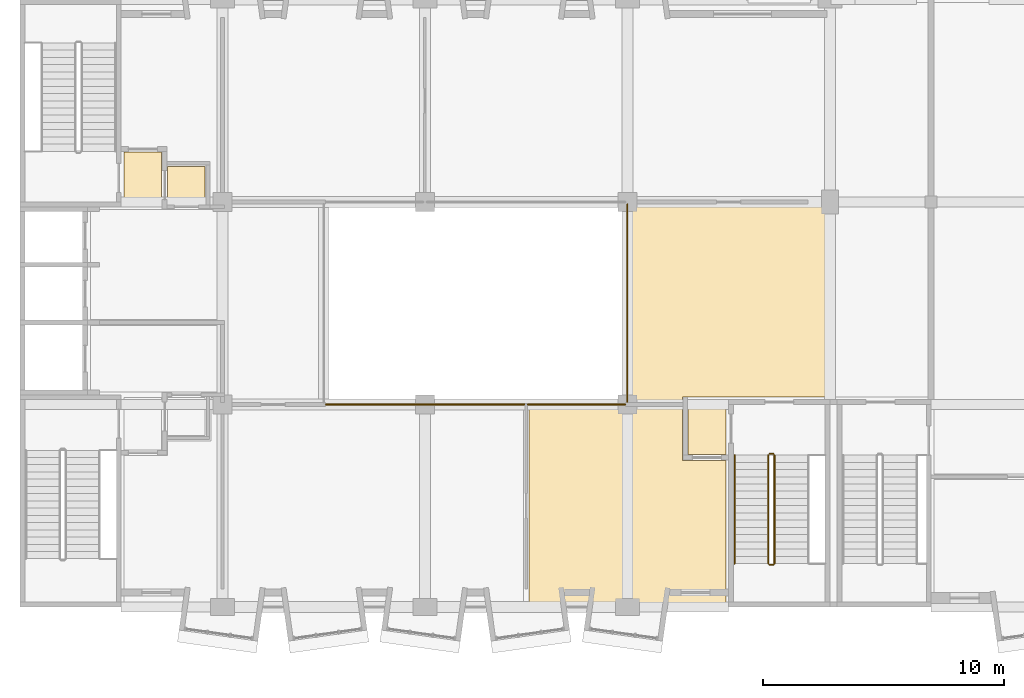
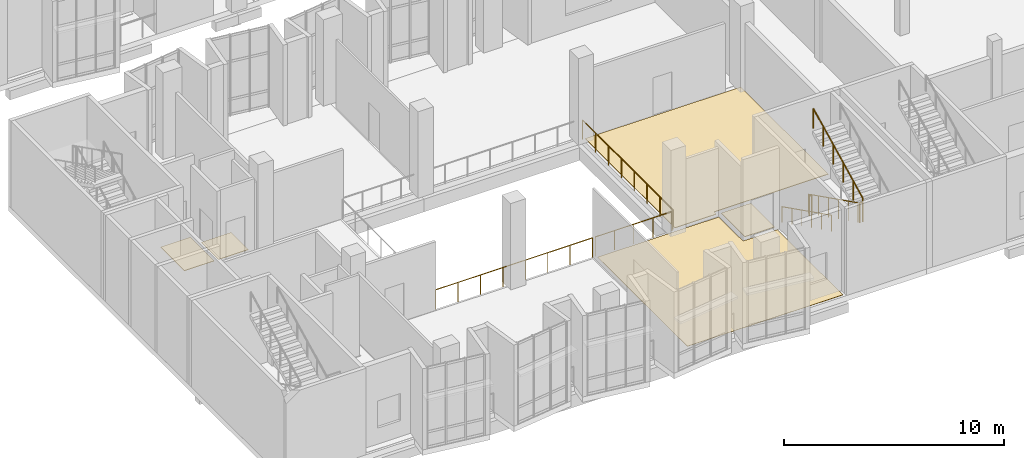
# One storey, part 67 of 86: 8 railings, 5 coverings.
"""IFC4 building model written with IfcOpenShell, lengths in metres."""

import ifcopenshell
import ifcopenshell.guid

model = None  # the IFC model being written
_history = None  # IfcOwnerHistory: only IFC2X3 demands one
_inside = {}  # id of a spatial element -> (the spatial element, [elements in it])
_under = {}  # id of a project, library or spatial element -> (it, [spatial elements below it])
_declared = {}  # id of a project -> (the project, [libraries it declares])
_typed = {}  # id of a type object -> (the type object, [elements of that type])
_made_of = {}  # id of a material, layer set ... -> (it, [elements and type objects made of it])


def new_model(schema):
    """Start an empty IFC model of exactly this schema.

    Asked for "IFC4X3", IfcOpenShell would pick the latest addendum, in which some entities
    have other attributes; the version numbers below select the first issue.
    IFC2X3 requires an IfcOwnerHistory on every rooted entity: one is made here for all.
    """
    global model, _history
    if schema == "IFC4X3":
        model = ifcopenshell.file(schema_version=(4, 3, 0, 0))
    else:
        model = ifcopenshell.file(schema=schema)
    _inside.clear()
    _under.clear()
    _declared.clear()
    _typed.clear()
    _made_of.clear()
    _history = None
    if model.schema == "IFC2X3":
        org = make("IfcOrganization", Name="unknown")
        user = make(
            "IfcPersonAndOrganization",
            ThePerson=make("IfcPerson", FamilyName="unknown"),
            TheOrganization=org,
        )
        app = make(
            "IfcApplication",
            ApplicationDeveloper=org,
            Version="unknown",
            ApplicationFullName="unknown",
            ApplicationIdentifier="unknown",
        )
        _history = make(
            "IfcOwnerHistory",
            OwningUser=user,
            OwningApplication=app,
            ChangeAction="ADDED",
            CreationDate=0,
        )
    return model


def make(cls, **values):
    """One entity of the class cls with the attributes given. An attribute that is None is left unset."""
    return model.create_entity(
        cls, **{name: value for name, value in values.items() if value is not None}
    )


def rooted(cls, **values):
    """An entity with a GlobalId (a new one), such as an element, a storey or a relation."""
    return make(cls, GlobalId=ifcopenshell.guid.new(), OwnerHistory=_history, **values)


def si_unit(unit_type, name, prefix=None):
    """IfcSIUnit, for example si_unit("LENGTHUNIT", "METRE", prefix="MILLI")."""
    return make("IfcSIUnit", UnitType=unit_type, Prefix=prefix, Name=name)


def assignment(units):
    """IfcUnitAssignment: the units of a project."""
    return None if units is None else make("IfcUnitAssignment", Units=units)


def point(xyz):
    """IfcCartesianPoint."""
    return None if xyz is None else make("IfcCartesianPoint", Coordinates=xyz)


def direction(xyz):
    """IfcDirection."""
    return None if xyz is None else make("IfcDirection", DirectionRatios=xyz)


def frame(location, z_axis=None, x_axis=None):
    """IfcAxis2Placement3D, a coordinate frame: its origin and axes. An axis left out is left unset."""
    return make(
        "IfcAxis2Placement3D",
        Location=point(location),
        Axis=direction(z_axis),
        RefDirection=direction(x_axis),
    )


def frame_2d(location, x_axis=None):
    """IfcAxis2Placement2D, a coordinate frame in the plane: its origin and x axis."""
    return make(
        "IfcAxis2Placement2D", Location=point(location), RefDirection=direction(x_axis)
    )


def origin():
    """The frame at (0, 0, 0) with its axes left unset."""
    return frame((0.0, 0.0, 0.0))


def origin_2d():
    """The frame at (0, 0) in the plane with its x axis left unset."""
    return frame_2d((0.0, 0.0))


def place(relative_to, where):
    """IfcLocalPlacement: puts the frame where relative to a parent placement (None: the world)."""
    return make(
        "IfcLocalPlacement", PlacementRelTo=relative_to, RelativePlacement=where
    )


def context(
    kind, dimensions, precision=None, world=None, true_north=None, identifier=None
):
    """IfcGeometricRepresentationContext, for example the 3D "Model" context."""
    return make(
        "IfcGeometricRepresentationContext",
        ContextIdentifier=identifier,
        ContextType=kind,
        CoordinateSpaceDimension=dimensions,
        Precision=precision,
        WorldCoordinateSystem=world,
        TrueNorth=true_north,
    )


def subcontext(parent, identifier, kind, view, scale=None):
    """IfcGeometricRepresentationSubContext, for example "Body" below "Model"."""
    return make(
        "IfcGeometricRepresentationSubContext",
        ContextIdentifier=identifier,
        ContextType=kind,
        ParentContext=parent,
        TargetScale=scale,
        TargetView=view,
    )


def project(units=None, contexts=None):
    """IfcProject with its units and contexts."""
    return rooted(
        "IfcProject",
        Name="project",
        RepresentationContexts=contexts,
        UnitsInContext=assignment(units),
    )


def spatial(cls, under=None, at=None, **own):
    """A site, building, storey or space (cls), placed at a placement, below another one or the project."""
    s = rooted(cls, ObjectPlacement=at, **own)
    if under is not None:
        _under.setdefault(under.id(), (under, []))[1].append(s)
    return s


def polyline(points):
    """IfcPolyline through the points."""
    return make("IfcPolyline", Points=[point(p) for p in points])


def profile(cls, at=None, kind="AREA", **sizes):
    """A parametric profile (cls). Its sizes go by their IFC names, for example OverallWidth=200.0."""
    return make(cls, ProfileType=kind, Position=at, **sizes)


def circle(**sizes):
    """IfcCircleProfileDef."""
    return profile("IfcCircleProfileDef", **sizes)


def outline(outer, holes=None, kind="AREA"):
    """IfcArbitraryClosedProfileDef: a profile drawn as a closed curve; with holes, ...WithVoids."""
    if holes is None:
        return make("IfcArbitraryClosedProfileDef", ProfileType=kind, OuterCurve=outer)
    return make(
        "IfcArbitraryProfileDefWithVoids",
        ProfileType=kind,
        OuterCurve=outer,
        InnerCurves=holes,
    )


def extrude(swept, where, along, depth):
    """IfcExtrudedAreaSolid: the profile swept, set in the frame where, extruded along a direction by depth."""
    return make(
        "IfcExtrudedAreaSolid",
        SweptArea=swept,
        Position=where,
        ExtrudedDirection=direction(along),
        Depth=depth,
    )


def shape(context_of_items, identifier, shape_type, items):
    """IfcShapeRepresentation: the items that make up one representation, for example the "Body"."""
    return make(
        "IfcShapeRepresentation",
        ContextOfItems=context_of_items,
        RepresentationIdentifier=identifier,
        RepresentationType=shape_type,
        Items=items,
    )


def material(Name=None, Category=None):
    """IfcMaterial."""
    return make("IfcMaterial", Name=Name, Category=Category)


def layer(
    of_material, thickness, ventilated=None, Name=None, Category=None, Priority=None
):
    """IfcMaterialLayer: one layer of a wall or slab, of a material (None: an air gap)."""
    return make(
        "IfcMaterialLayer",
        Material=of_material,
        LayerThickness=thickness,
        IsVentilated=ventilated,
        Name=Name,
        Category=Category,
        Priority=Priority,
    )


def layer_set(layers, Name=None):
    """IfcMaterialLayerSet."""
    return make("IfcMaterialLayerSet", MaterialLayers=layers, LayerSetName=Name)


def made_of(thing, what):
    """Note that an element or type object is made of a material, layer set ...; save() writes the relation."""
    if what is not None:
        _made_of.setdefault(what.id(), (what, []))[1].append(thing)
    return thing


def type_object(cls, material=None, **own):
    """A type object (cls), such as IfcWallType, which elements share."""
    return made_of(rooted(cls, **own), material)


def element(
    cls,
    number,
    at=None,
    inside=None,
    cuts=None,
    type_object=None,
    material=None,
    context=None,
    identifier="Body",
    shape_type=None,
    held_by="IfcProductDefinitionShape",
    body=None,
    shapes=None,
    **own,
):
    """One element of the class cls, such as IfcWall. Its Tag is "e" and its number.

    at: its placement. inside: the storey or other place that contains it. cuts: it is an
    opening in that element (IfcRelVoidsElement). A single representation is given by context,
    identifier, shape_type and body (its items); several are given by shapes. held_by: the class
    of the entity that holds the representations. save() writes the other relations.
    """
    e = rooted(cls, Tag="e%d" % number, ObjectPlacement=at, **own)
    if body is not None:
        shapes = [shape(context, identifier, shape_type, body)]
    if shapes is not None:
        e.Representation = make(held_by, Representations=shapes)
    if inside is not None:
        _inside.setdefault(inside.id(), (inside, []))[1].append(e)
    if cuts is not None:
        rooted(
            "IfcRelVoidsElement", RelatingBuildingElement=cuts, RelatedOpeningElement=e
        )
    if type_object is not None:
        _typed.setdefault(type_object.id(), (type_object, []))[1].append(e)
    return made_of(e, material)


def aggregate(whole, parts):
    """IfcRelAggregates: a whole, such as a stair, and the parts it consists of."""
    return rooted("IfcRelAggregates", RelatingObject=whole, RelatedObjects=parts)


def save(model, path):
    """Write the relations noted so far, then the file.

    IfcRelAggregates (storeys below a building ...), IfcRelContainedInSpatialStructure (elements
    in a storey), IfcRelDefinesByType, IfcRelAssociatesMaterial and IfcRelDeclares: one each for
    every whole, place, type object, material and project.
    """
    for whole, parts in _under.values():
        aggregate(whole, parts)
    for where, things in _inside.values():
        rooted(
            "IfcRelContainedInSpatialStructure",
            RelatedElements=things,
            RelatingStructure=where,
        )
    for kind, things in _typed.values():
        rooted("IfcRelDefinesByType", RelatedObjects=things, RelatingType=kind)
    for what, things in _made_of.values():
        rooted("IfcRelAssociatesMaterial", RelatedObjects=things, RelatingMaterial=what)
    for by, libraries in _declared.values():
        rooted("IfcRelDeclares", RelatingContext=by, RelatedDefinitions=libraries)
    model.write(path)


model = new_model("IFC4")

# Units and contexts
model_context = context("Model", 3, precision=1e-05, world=origin(), true_north=direction((0.0, 1.0)))
body_context = subcontext(model_context, "Body", "Model", "MODEL_VIEW")
ifc_project = project(units=[si_unit("LENGTHUNIT", "METRE"), si_unit("AREAUNIT", "SQUARE_METRE"), si_unit("VOLUMEUNIT", "CUBIC_METRE"), si_unit("PLANEANGLEUNIT", "RADIAN"), si_unit("MASSUNIT", "GRAM", prefix="KILO")], contexts=[model_context])

# Site, building, storey
site_placement = place(None, origin())
site = spatial("IfcSite", under=ifc_project, at=site_placement, CompositionType="ELEMENT")
building_placement = place(site_placement, origin())
building = spatial("IfcBuilding", under=site, at=building_placement, Name="Kiln Court Media Centre", CompositionType="ELEMENT")
storey_placement = place(building_placement, frame((0.0, 0.0, 10.199951171875)))
storey = spatial("IfcBuildingStorey", under=building, at=storey_placement, Name="L02", CompositionType="ELEMENT", Elevation=10.199951171875)

# Coverings
ifc_material_1 = material(Name="Carpet tile")
ifc_layer_1 = layer(ifc_material_1, 0.014892578125)
ifc_layer_set_1 = layer_set([ifc_layer_1], Name="Carpet tile floor finish 15")
covering_type_1 = type_object("IfcCoveringType", Name="Carpet tile floor finish 15", PredefinedType="FLOORING", material=ifc_layer_set_1)
covering_1_placement = place(storey_placement, origin())
element("IfcCovering", 1, at=covering_1_placement, inside=storey, type_object=covering_type_1, Name="Reading Room 2 floor finish", PredefinedType="FLOORING", context=body_context, shape_type="SweptSolid", body=[
    extrude(outline(polyline([(29.280029296875, 0.1201171875), (29.280029296875, 6.080078125), (27.47998046875, 6.080078125), (27.47998046875, 8.280029296875), (21.1201171875, 8.280029296875), (21.1201171875, 0.1201171875), (29.280029296875, 0.1201171875)])), origin(), (0.0, 0.0, 1.0), 0.01513671875),
])
ifc_material_2 = material(Name="Terrazzo")
ifc_layer_2 = layer(ifc_material_2, 0.02490234375)
ifc_layer_set_2 = layer_set([ifc_layer_2], Name="Polished terrazzo floor finish 25")
covering_type_2 = type_object("IfcCoveringType", Name="Polished terrazzo floor finish 25", PredefinedType="FLOORING", material=ifc_layer_set_2)
covering_2_placement = place(storey_placement, origin())
element("IfcCovering", 2, at=covering_2_placement, inside=storey, type_object=covering_type_2, Name="Stair 3 Vestibule floor finish", PredefinedType="FLOORING", context=body_context, shape_type="SweptSolid", body=[
    extrude(outline(polyline([(27.719970703125, 6.320068359375), (29.280029296875, 6.320068359375), (29.280029296875, 8.47998046875), (27.719970703125, 8.47998046875), (27.719970703125, 6.320068359375)])), origin(), (0.0, 0.0, 1.0), 0.025146484375),
])
covering_3_placement = place(storey_placement, origin())
element("IfcCovering", 3, at=covering_3_placement, inside=storey, type_object=covering_type_2, Name="East Lobby floor finish", PredefinedType="FLOORING", context=body_context, shape_type="SweptSolid", body=[
    extrude(outline(polyline([(25.320068359375, 8.52001953125), (27.47998046875, 8.52001953125), (27.47998046875, 8.719970703125), (33.47998046875, 8.719970703125), (33.47998046875, 16.679931640625), (25.320068359375, 16.679931640625), (25.320068359375, 8.52001953125)])), origin(), (0.0, 0.0, 1.0), 0.025146484375),
])
covering_4_placement = place(storey_placement, origin())
element("IfcCovering", 4, at=covering_4_placement, inside=storey, type_object=covering_type_2, Name="Stair 2 Vestibule floor finish", PredefinedType="FLOORING", context=body_context, shape_type="SweptSolid", body=[
    extrude(outline(polyline([(4.320068359375, 16.719970703125), (5.8798828125, 16.719970703125), (5.8798828125, 18.8798828125), (4.320068359375, 18.8798828125), (4.320068359375, 16.719970703125)])), origin(), (0.0, 0.0, 1.0), 0.025146484375),
])
covering_5_placement = place(storey_placement, origin())
element("IfcCovering", 5, at=covering_5_placement, inside=storey, type_object=covering_type_2, Name="Wheelchair Refuge floor finish", PredefinedType="FLOORING", context=body_context, shape_type="SweptSolid", body=[
    extrude(outline(polyline([(6.1201171875, 16.719970703125), (7.679931640625, 16.719970703125), (7.679931640625, 18.280029296875), (6.1201171875, 18.280029296875), (6.1201171875, 16.719970703125)])), origin(), (0.0, 0.0, 1.0), 0.025146484375),
])

# Railings
ifc_material_3 = material(Name="Steel S275", Category="steel")
railing_type_1 = type_object("IfcRailingType", Name="Steel S275 balustrade guard 1100", PredefinedType="GUARDRAIL", material=ifc_material_3)
railing_1_placement = place(storey_placement, frame((12.695068359375, 8.39990234375, 0.0)))
element("IfcRailing", 6, at=railing_1_placement, inside=storey, type_object=railing_type_1, Name="L02 void edge guard", PredefinedType="GUARDRAIL", context=body_context, shape_type="SweptSolid", body=[
    extrude(circle(Radius=0.02392578125, at=origin_2d()), frame((0.0, 0.0, 1.076171875), z_axis=(1.0, 0.0, 0.0), x_axis=(0.0, 1.0, 0.0)), (0.0, 0.0, 1.0), 8.23486328125),
    extrude(circle(Radius=0.02099609375, at=origin_2d()), origin(), (0.0, 0.0, 1.0), 1.052001953125),
    extrude(circle(Radius=0.02099609375, at=origin_2d()), frame((1.176513671875, 0.0, 0.0)), (0.0, 0.0, 1.0), 1.052001953125),
    extrude(circle(Radius=0.02099609375, at=origin_2d()), frame((2.352783203125, 0.0, 0.0)), (0.0, 0.0, 1.0), 1.052001953125),
    extrude(circle(Radius=0.02099609375, at=origin_2d()), frame((3.529296875, 0.0, 0.0)), (0.0, 0.0, 1.0), 1.052001953125),
    extrude(circle(Radius=0.02099609375, at=origin_2d()), frame((4.70556640625, 0.0, 0.0)), (0.0, 0.0, 1.0), 1.052001953125),
    extrude(circle(Radius=0.02099609375, at=origin_2d()), frame((5.882080078125, 0.0, 0.0)), (0.0, 0.0, 1.0), 1.052001953125),
    extrude(circle(Radius=0.02099609375, at=origin_2d()), frame((7.058349609375, 0.0, 0.0)), (0.0, 0.0, 1.0), 1.052001953125),
    extrude(circle(Radius=0.02099609375, at=origin_2d()), frame((8.23486328125, 0.0, 0.0)), (0.0, 0.0, 1.0), 1.052001953125),
])
railing_2_placement = place(storey_placement, frame((21.070068359375, 8.39990234375, 0.0)))
element("IfcRailing", 7, at=railing_2_placement, inside=storey, type_object=railing_type_1, Name="L02 void edge guard", PredefinedType="GUARDRAIL", context=body_context, shape_type="SweptSolid", body=[
    extrude(circle(Radius=0.02392578125, at=origin_2d()), frame((0.0, 0.0, 1.076171875), z_axis=(1.0, 0.0, 0.0), x_axis=(0.0, 1.0, 0.0)), (0.0, 0.0, 1.0), 4.034912109375),
    extrude(circle(Radius=0.02099609375, at=origin_2d()), origin(), (0.0, 0.0, 1.0), 1.052001953125),
    extrude(circle(Radius=0.02099609375, at=origin_2d()), frame((1.0087890625, 0.0, 0.0)), (0.0, 0.0, 1.0), 1.052001953125),
    extrude(circle(Radius=0.02099609375, at=origin_2d()), frame((2.017578125, 0.0, 0.0)), (0.0, 0.0, 1.0), 1.052001953125),
    extrude(circle(Radius=0.02099609375, at=origin_2d()), frame((3.026123046875, 0.0, 0.0)), (0.0, 0.0, 1.0), 1.052001953125),
    extrude(circle(Radius=0.02099609375, at=origin_2d()), frame((4.034912109375, 0.0, 0.0)), (0.0, 0.0, 1.0), 1.052001953125),
])
railing_3_placement = place(storey_placement, frame((25.199951171875, 8.4951171875, 0.0)))
element("IfcRailing", 8, at=railing_3_placement, inside=storey, type_object=railing_type_1, Name="L02 void edge guard", PredefinedType="GUARDRAIL", context=body_context, shape_type="SweptSolid", body=[
    extrude(circle(Radius=0.02392578125, at=origin_2d()), frame((0.0, 0.0, 1.076171875), z_axis=(0.0, 1.0, 0.0), x_axis=(-1.0, 0.0, 0.0)), (0.0, 0.0, 1.0), 8.2099609375),
    extrude(circle(Radius=0.02099609375, at=origin_2d()), origin(), (0.0, 0.0, 1.0), 1.052001953125),
    extrude(circle(Radius=0.02099609375, at=origin_2d()), frame((0.0, 1.1728515625, 0.0)), (0.0, 0.0, 1.0), 1.052001953125),
    extrude(circle(Radius=0.02099609375, at=origin_2d()), frame((0.0, 2.345703125, 0.0)), (0.0, 0.0, 1.0), 1.052001953125),
    extrude(circle(Radius=0.02099609375, at=origin_2d()), frame((0.0, 3.5185546875, 0.0)), (0.0, 0.0, 1.0), 1.052001953125),
    extrude(circle(Radius=0.02099609375, at=origin_2d()), frame((0.0, 4.69140625, 0.0)), (0.0, 0.0, 1.0), 1.052001953125),
    extrude(circle(Radius=0.02099609375, at=origin_2d()), frame((0.0, 5.8642578125, 0.0)), (0.0, 0.0, 1.0), 1.052001953125),
    extrude(circle(Radius=0.02099609375, at=origin_2d()), frame((0.0, 7.037109375, 0.0)), (0.0, 0.0, 1.0), 1.052001953125),
    extrude(circle(Radius=0.02099609375, at=origin_2d()), frame((0.0, 8.2099609375, 0.0)), (0.0, 0.0, 1.0), 1.052001953125),
])
ifc_material_4 = material(Name="Steel S275", Category="steel")
railing_type_2 = type_object("IfcRailingType", Name="Steel S275 stair guard 1100", PredefinedType="GUARDRAIL", material=ifc_material_4)
railing_4_placement = place(storey_placement, frame((31.050048828125, 6.300048828125, 0.150146484375)))
element("IfcRailing", 9, at=railing_4_placement, inside=storey, type_object=railing_type_2, Name="ST-03 stair guard", PredefinedType="GUARDRAIL", context=body_context, shape_type="SweptSolid", body=[
    extrude(circle(Radius=0.02392578125, at=origin_2d()), frame((0.0, 0.0, 1.076171875), z_axis=(0.0, -0.894427191, 0.4472135955), x_axis=(1.0, 0.0, 0.0)), (0.0, 0.0, 1.0), 5.03125),
    extrude(circle(Radius=0.02099609375, at=origin_2d()), origin(), (0.0, 0.0, 1.0), 1.052001953125),
    extrude(circle(Radius=0.02099609375, at=origin_2d()), frame((0.0, -0.89990234375, 0.449951171875)), (0.0, 0.0, 1.0), 1.052001953125),
    extrude(circle(Radius=0.02099609375, at=origin_2d()), frame((0.0, -1.800048828125, 0.89990234375)), (0.0, 0.0, 1.0), 1.052001953125),
    extrude(circle(Radius=0.02099609375, at=origin_2d()), frame((0.0, -2.699951171875, 1.35009765625)), (0.0, 0.0, 1.0), 1.052001953125),
    extrude(circle(Radius=0.02099609375, at=origin_2d()), frame((0.0, -3.60009765625, 1.800048828125)), (0.0, 0.0, 1.0), 1.052001953125),
    extrude(circle(Radius=0.02099609375, at=origin_2d()), frame((0.0, -4.5, 2.25)), (0.0, 0.0, 1.0), 1.052001953125),
])
railing_5_placement = place(storey_placement, frame((31.10009765625, 1.75, 2.400146484375)))
element("IfcRailing", 10, at=railing_5_placement, inside=storey, type_object=railing_type_2, Name="ST-03 stair guard", PredefinedType="GUARDRAIL", context=body_context, shape_type="SweptSolid", body=[
    extrude(circle(Radius=0.02392578125, at=origin_2d()), frame((0.0, 0.0, 1.076171875), z_axis=(1.0, 0.0, 0.0), x_axis=(0.0, 1.0, 0.0)), (0.0, 0.0, 1.0), 0.14990234375),
    extrude(circle(Radius=0.02099609375, at=origin_2d()), origin(), (0.0, 0.0, 1.0), 1.052001953125),
    extrude(circle(Radius=0.02099609375, at=origin_2d()), frame((0.14990234375, 0.0, 0.0)), (0.0, 0.0, 1.0), 1.052001953125),
])
railing_6_placement = place(storey_placement, frame((31.300048828125, 1.800048828125, 2.550048828125)))
element("IfcRailing", 11, at=railing_6_placement, inside=storey, type_object=railing_type_2, Name="ST-03 stair guard", PredefinedType="GUARDRAIL", context=body_context, shape_type="SweptSolid", body=[
    extrude(circle(Radius=0.02392578125, at=origin_2d()), frame((0.0, 0.0, 1.076171875), z_axis=(0.0, 0.894427191, 0.4472135955), x_axis=(-1.0, 0.0, 0.0)), (0.0, 0.0, 1.0), 5.03125),
    extrude(circle(Radius=0.02099609375, at=origin_2d()), origin(), (0.0, 0.0, 1.0), 1.052001953125),
    extrude(circle(Radius=0.02099609375, at=origin_2d()), frame((0.0, 0.89990234375, 0.449951171875)), (0.0, 0.0, 1.0), 1.052001953125),
    extrude(circle(Radius=0.02099609375, at=origin_2d()), frame((0.0, 1.800048828125, 0.89990234375)), (0.0, 0.0, 1.0), 1.052001953125),
    extrude(circle(Radius=0.02099609375, at=origin_2d()), frame((0.0, 2.699951171875, 1.35009765625)), (0.0, 0.0, 1.0), 1.052001953125),
    extrude(circle(Radius=0.02099609375, at=origin_2d()), frame((0.0, 3.60009765625, 1.800048828125)), (0.0, 0.0, 1.0), 1.052001953125),
    extrude(circle(Radius=0.02099609375, at=origin_2d()), frame((0.0, 4.5, 2.25)), (0.0, 0.0, 1.0), 1.052001953125),
])
railing_7_placement = place(storey_placement, frame((31.10009765625, 6.35009765625, 0.0)))
element("IfcRailing", 12, at=railing_7_placement, inside=storey, type_object=railing_type_2, Name="ST-03 stair guard", PredefinedType="GUARDRAIL", context=body_context, shape_type="SweptSolid", body=[
    extrude(circle(Radius=0.02392578125, at=origin_2d()), frame((0.0, 0.0, 1.076171875), z_axis=(1.0, 0.0, 0.0), x_axis=(0.0, 1.0, 0.0)), (0.0, 0.0, 1.0), 0.14990234375),
    extrude(circle(Radius=0.02099609375, at=origin_2d()), origin(), (0.0, 0.0, 1.0), 1.052001953125),
    extrude(circle(Radius=0.02099609375, at=origin_2d()), frame((0.14990234375, 0.0, 0.0)), (0.0, 0.0, 1.0), 1.052001953125),
])
ifc_material_5 = material(Name="Steel S275", Category="steel")
railing_type_3 = type_object("IfcRailingType", Name="Steel S275 stair handrail 900", PredefinedType="HANDRAIL", material=ifc_material_5)
railing_8_placement = place(storey_placement, frame((29.64990234375, 6.300048828125, 0.150146484375)))
element("IfcRailing", 13, at=railing_8_placement, inside=storey, type_object=railing_type_3, Name="ST-03 stair handrail", PredefinedType="HANDRAIL", context=body_context, shape_type="SweptSolid", body=[
    extrude(circle(Radius=0.02392578125, at=origin_2d()), frame((0.0, 0.0, 0.8759765625), z_axis=(0.0, -0.894427191, 0.4472135955), x_axis=(1.0, 0.0, 0.0)), (0.0, 0.0, 1.0), 5.03125),
    extrude(circle(Radius=0.02099609375, at=origin_2d()), origin(), (0.0, 0.0, 1.0), 0.851806640625),
    extrude(circle(Radius=0.02099609375, at=origin_2d()), frame((0.0, -0.89990234375, 0.449951171875)), (0.0, 0.0, 1.0), 0.851806640625),
    extrude(circle(Radius=0.02099609375, at=origin_2d()), frame((0.0, -1.800048828125, 0.89990234375)), (0.0, 0.0, 1.0), 0.851806640625),
    extrude(circle(Radius=0.02099609375, at=origin_2d()), frame((0.0, -2.699951171875, 1.35009765625)), (0.0, 0.0, 1.0), 0.851806640625),
    extrude(circle(Radius=0.02099609375, at=origin_2d()), frame((0.0, -3.60009765625, 1.800048828125)), (0.0, 0.0, 1.0), 0.851806640625),
    extrude(circle(Radius=0.02099609375, at=origin_2d()), frame((0.0, -4.5, 2.25)), (0.0, 0.0, 1.0), 0.851806640625),
])

save(model, "model.ifc")
